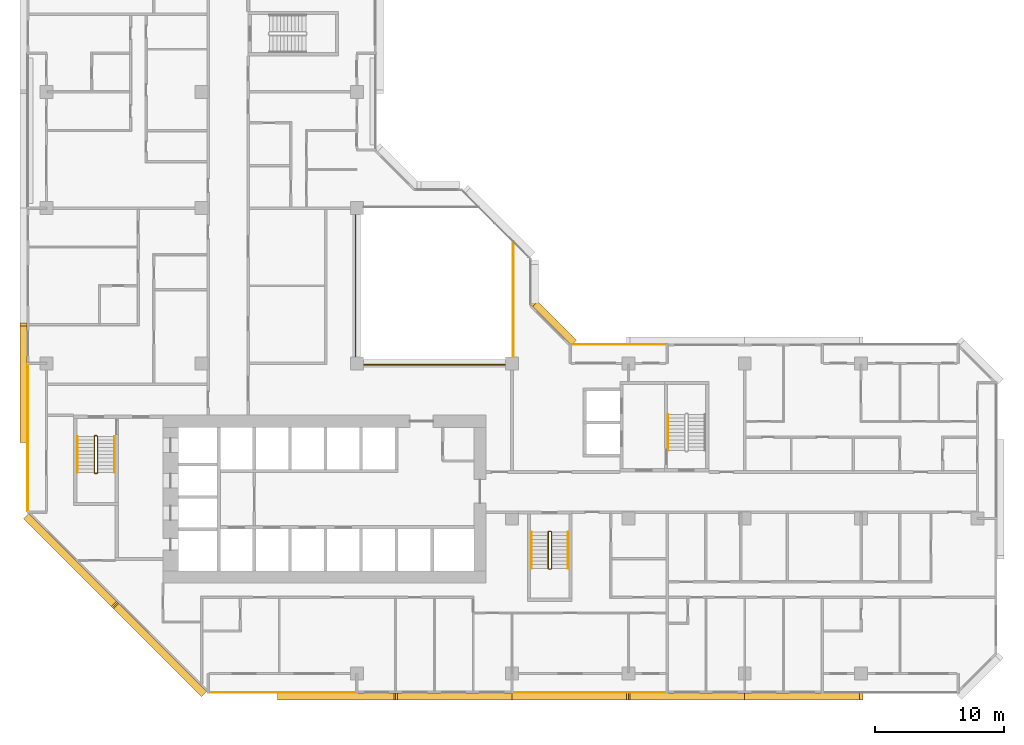
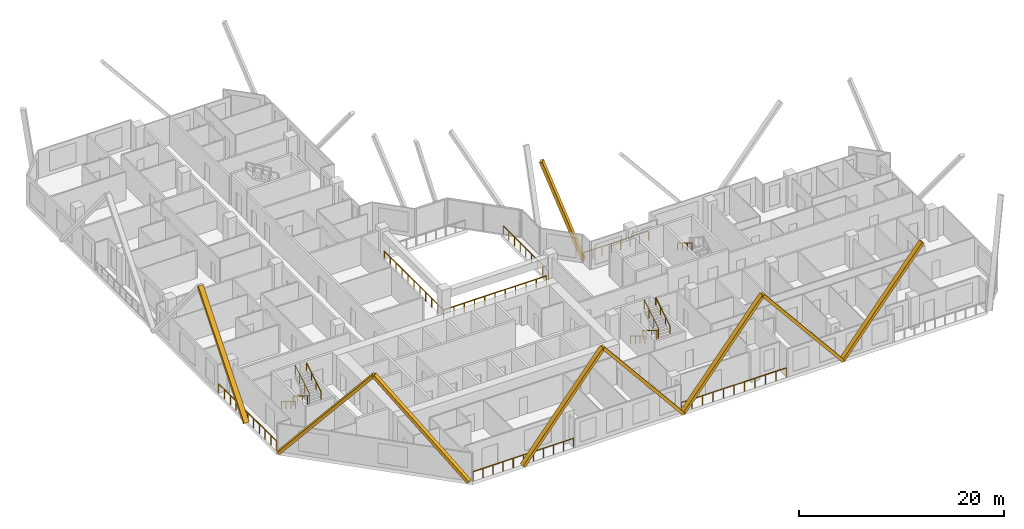
# One storey, part 14 of 15: 13 railings, 9 coverings.
"""IFC4 building model written with IfcOpenShell, lengths in metres."""

from ifc_helpers import new_model, si_unit, direction, frame, origin, origin_2d, place, context, subcontext, project, spatial, rectangle, extrude, material, material_profile, profile_set, type_object, element, save


model = new_model("IFC4")

# Units and contexts
model_context = context("Model", 3, precision=1e-05, world=origin(), true_north=direction((0.0, 1.0)))
body_context = subcontext(model_context, "Body", "Model", "MODEL_VIEW")
ifc_project = project(units=[si_unit("LENGTHUNIT", "METRE"), si_unit("AREAUNIT", "SQUARE_METRE"), si_unit("VOLUMEUNIT", "CUBIC_METRE"), si_unit("PLANEANGLEUNIT", "RADIAN"), si_unit("MASSUNIT", "GRAM", prefix="KILO")], contexts=[model_context])

# Site, building, storey
site_placement = place(None, origin())
site = spatial("IfcSite", under=ifc_project, at=site_placement, CompositionType="ELEMENT")
building_placement = place(site_placement, origin())
building = spatial("IfcBuilding", under=site, at=building_placement, Name="Chenar Terraces", CompositionType="ELEMENT")
storey_placement = place(building_placement, frame((0.0, 0.0, 129.39990234375)))
storey = spatial("IfcBuildingStorey", under=building, at=storey_placement, Name="L30", CompositionType="ELEMENT", Elevation=129.39990234375)

# Railings
ifc_material_1 = material(Name="Powder-coated steel", Category="steel")
railing_type_1 = type_object("IfcRailingType", Name="Guard 1100 steel rail with glass infill", PredefinedType="GUARDRAIL", material=ifc_material_1)
railing_1_placement = place(storey_placement, frame((23.89990234375, 35.5, 0.0)))
element("IfcRailing", 1, at=railing_1_placement, inside=storey, type_object=railing_type_1, Name="Guard L30-1", PredefinedType="GUARDRAIL", context=body_context, shape_type="SweptSolid", body=[
    extrude(rectangle(XDim=0.06005859375, YDim=0.06005859375, at=origin_2d()), frame((0.0, 0.0, 1.070068359375), z_axis=(0.0, -1.0, 0.0), x_axis=(1.0, 0.0, 0.0)), (0.0, 0.0, 1.0), 11.60009765625),
    extrude(rectangle(XDim=0.06005859375, YDim=0.06005859375, at=origin_2d()), frame((0.0, -11.60009765625, 1.070068359375), z_axis=(1.0, 0.0, 0.0), x_axis=(0.0, 1.0, 0.0)), (0.0, 0.0, 1.0), 11.60009765625),
    extrude(rectangle(XDim=0.050048828125, YDim=0.050048828125, at=origin_2d()), origin(), (0.0, 0.0, 1.0), 1.0400390625),
    extrude(rectangle(XDim=0.050048828125, YDim=0.050048828125, at=origin_2d()), frame((0.0, -1.159912109375, 0.0)), (0.0, 0.0, 1.0), 1.0400390625),
    extrude(rectangle(XDim=0.050048828125, YDim=0.050048828125, at=origin_2d()), frame((0.0, -2.320068359375, 0.0)), (0.0, 0.0, 1.0), 1.0400390625),
    extrude(rectangle(XDim=0.050048828125, YDim=0.050048828125, at=origin_2d()), frame((0.0, -3.47998046875, 0.0)), (0.0, 0.0, 1.0), 1.0400390625),
    extrude(rectangle(XDim=0.050048828125, YDim=0.050048828125, at=origin_2d()), frame((0.0, -4.64013671875, 0.0)), (0.0, 0.0, 1.0), 1.0400390625),
    extrude(rectangle(XDim=0.050048828125, YDim=0.050048828125, at=origin_2d()), frame((0.0, -5.800048828125, 0.0)), (0.0, 0.0, 1.0), 1.0400390625),
    extrude(rectangle(XDim=0.050048828125, YDim=0.050048828125, at=origin_2d()), frame((0.0, -6.9599609375, 0.0)), (0.0, 0.0, 1.0), 1.0400390625),
    extrude(rectangle(XDim=0.050048828125, YDim=0.050048828125, at=origin_2d()), frame((0.0, -8.1201171875, 0.0)), (0.0, 0.0, 1.0), 1.0400390625),
    extrude(rectangle(XDim=0.050048828125, YDim=0.050048828125, at=origin_2d()), frame((0.0, -9.280029296875, 0.0)), (0.0, 0.0, 1.0), 1.0400390625),
    extrude(rectangle(XDim=0.050048828125, YDim=0.050048828125, at=origin_2d()), frame((0.0, -10.440185546875, 0.0)), (0.0, 0.0, 1.0), 1.0400390625),
    extrude(rectangle(XDim=0.050048828125, YDim=0.050048828125, at=origin_2d()), frame((0.0, -11.60009765625, 0.0)), (0.0, 0.0, 1.0), 1.0400390625),
    extrude(rectangle(XDim=0.050048828125, YDim=0.050048828125, at=origin_2d()), frame((1.159912109375, -11.60009765625, 0.0)), (0.0, 0.0, 1.0), 1.0400390625),
    extrude(rectangle(XDim=0.050048828125, YDim=0.050048828125, at=origin_2d()), frame((2.320068359375, -11.60009765625, 0.0)), (0.0, 0.0, 1.0), 1.0400390625),
    extrude(rectangle(XDim=0.050048828125, YDim=0.050048828125, at=origin_2d()), frame((3.47998046875, -11.60009765625, 0.0)), (0.0, 0.0, 1.0), 1.0400390625),
    extrude(rectangle(XDim=0.050048828125, YDim=0.050048828125, at=origin_2d()), frame((4.64013671875, -11.60009765625, 0.0)), (0.0, 0.0, 1.0), 1.0400390625),
    extrude(rectangle(XDim=0.050048828125, YDim=0.050048828125, at=origin_2d()), frame((5.800048828125, -11.60009765625, 0.0)), (0.0, 0.0, 1.0), 1.0400390625),
    extrude(rectangle(XDim=0.050048828125, YDim=0.050048828125, at=origin_2d()), frame((6.9599609375, -11.60009765625, 0.0)), (0.0, 0.0, 1.0), 1.0400390625),
    extrude(rectangle(XDim=0.050048828125, YDim=0.050048828125, at=origin_2d()), frame((8.1201171875, -11.60009765625, 0.0)), (0.0, 0.0, 1.0), 1.0400390625),
    extrude(rectangle(XDim=0.050048828125, YDim=0.050048828125, at=origin_2d()), frame((9.280029296875, -11.60009765625, 0.0)), (0.0, 0.0, 1.0), 1.0400390625),
    extrude(rectangle(XDim=0.050048828125, YDim=0.050048828125, at=origin_2d()), frame((10.440185546875, -11.60009765625, 0.0)), (0.0, 0.0, 1.0), 1.0400390625),
    extrude(rectangle(XDim=0.050048828125, YDim=0.050048828125, at=origin_2d()), frame((11.60009765625, -11.60009765625, 0.0)), (0.0, 0.0, 1.0), 1.0400390625),
])
railing_2_placement = place(storey_placement, frame((36.10009765625, 24.550048828125, 0.0)))
element("IfcRailing", 2, at=railing_2_placement, inside=storey, type_object=railing_type_1, Name="Guard L30-3", PredefinedType="GUARDRAIL", context=body_context, shape_type="SweptSolid", body=[
    extrude(rectangle(XDim=0.06005859375, YDim=0.06005859375, at=origin_2d()), frame((0.0, 0.0, 1.070068359375), z_axis=(0.0, 1.0, 0.0), x_axis=(-1.0, 0.0, 0.0)), (0.0, 0.0, 1.0), 8.849853515625),
    extrude(rectangle(XDim=0.050048828125, YDim=0.050048828125, at=origin_2d()), origin(), (0.0, 0.0, 1.0), 1.0400390625),
    extrude(rectangle(XDim=0.050048828125, YDim=0.050048828125, at=origin_2d()), frame((0.0, 1.106201171875, 0.0)), (0.0, 0.0, 1.0), 1.0400390625),
    extrude(rectangle(XDim=0.050048828125, YDim=0.050048828125, at=origin_2d()), frame((0.0, 2.21240234375, 0.0)), (0.0, 0.0, 1.0), 1.0400390625),
    extrude(rectangle(XDim=0.050048828125, YDim=0.050048828125, at=origin_2d()), frame((0.0, 3.318603515625, 0.0)), (0.0, 0.0, 1.0), 1.0400390625),
    extrude(rectangle(XDim=0.050048828125, YDim=0.050048828125, at=origin_2d()), frame((0.0, 4.4248046875, 0.0)), (0.0, 0.0, 1.0), 1.0400390625),
    extrude(rectangle(XDim=0.050048828125, YDim=0.050048828125, at=origin_2d()), frame((0.0, 5.53125, 0.0)), (0.0, 0.0, 1.0), 1.0400390625),
    extrude(rectangle(XDim=0.050048828125, YDim=0.050048828125, at=origin_2d()), frame((0.0, 6.637451171875, 0.0)), (0.0, 0.0, 1.0), 1.0400390625),
    extrude(rectangle(XDim=0.050048828125, YDim=0.050048828125, at=origin_2d()), frame((0.0, 7.74365234375, 0.0)), (0.0, 0.0, 1.0), 1.0400390625),
    extrude(rectangle(XDim=0.050048828125, YDim=0.050048828125, at=origin_2d()), frame((0.0, 8.849853515625, 0.0)), (0.0, 0.0, 1.0), 1.0400390625),
])
ifc_material_2 = material(Name="Stainless steel and glass", Category="steel")
railing_type_2 = type_object("IfcRailingType", Name="Loggia guard 1150", PredefinedType="GUARDRAIL", material=ifc_material_2)
railing_3_placement = place(storey_placement, frame((47.925048828125, 25.449951171875, 0.0)))
element("IfcRailing", 3, at=railing_3_placement, inside=storey, type_object=railing_type_2, Name="Loggia guard", PredefinedType="GUARDRAIL", context=body_context, shape_type="SweptSolid", body=[
    extrude(rectangle(XDim=0.048095703125, YDim=0.048095703125, at=origin_2d()), frame((0.0, 0.0, 1.1259765625), z_axis=(-1.0, 0.0, 0.0), x_axis=(0.0, -1.0, 0.0)), (0.0, 0.0, 1.0), 7.35009765625),
    extrude(rectangle(XDim=0.0419921875, YDim=0.0419921875, at=origin_2d()), origin(), (0.0, 0.0, 1.0), 1.101806640625),
    extrude(rectangle(XDim=0.0419921875, YDim=0.0419921875, at=origin_2d()), frame((-1.050048828125, 0.0, 0.0)), (0.0, 0.0, 1.0), 1.101806640625),
    extrude(rectangle(XDim=0.0419921875, YDim=0.0419921875, at=origin_2d()), frame((-2.10009765625, 0.0, 0.0)), (0.0, 0.0, 1.0), 1.101806640625),
    extrude(rectangle(XDim=0.0419921875, YDim=0.0419921875, at=origin_2d()), frame((-3.150146484375, 0.0, 0.0)), (0.0, 0.0, 1.0), 1.101806640625),
    extrude(rectangle(XDim=0.0419921875, YDim=0.0419921875, at=origin_2d()), frame((-4.199951171875, 0.0, 0.0)), (0.0, 0.0, 1.0), 1.101806640625),
    extrude(rectangle(XDim=0.0419921875, YDim=0.0419921875, at=origin_2d()), frame((-5.25, 0.0, 0.0)), (0.0, 0.0, 1.0), 1.101806640625),
    extrude(rectangle(XDim=0.0419921875, YDim=0.0419921875, at=origin_2d()), frame((-6.300048828125, 0.0, 0.0)), (0.0, 0.0, 1.0), 1.101806640625),
    extrude(rectangle(XDim=0.0419921875, YDim=0.0419921875, at=origin_2d()), frame((-7.35009765625, 0.0, 0.0)), (0.0, 0.0, 1.0), 1.101806640625),
])
railing_4_placement = place(storey_placement, frame((12.574951171875, -1.449951171875, 0.0)))
element("IfcRailing", 4, at=railing_4_placement, inside=storey, type_object=railing_type_2, Name="Loggia guard", PredefinedType="GUARDRAIL", context=body_context, shape_type="SweptSolid", body=[
    extrude(rectangle(XDim=0.048095703125, YDim=0.048095703125, at=origin_2d()), frame((0.0, 0.0, 1.1259765625), z_axis=(1.0, 0.0, 0.0), x_axis=(0.0, 1.0, 0.0)), (0.0, 0.0, 1.0), 11.35009765625),
    extrude(rectangle(XDim=0.0419921875, YDim=0.0419921875, at=origin_2d()), origin(), (0.0, 0.0, 1.0), 1.101806640625),
    extrude(rectangle(XDim=0.0419921875, YDim=0.0419921875, at=origin_2d()), frame((1.135009765625, 0.0, 0.0)), (0.0, 0.0, 1.0), 1.101806640625),
    extrude(rectangle(XDim=0.0419921875, YDim=0.0419921875, at=origin_2d()), frame((2.27001953125, 0.0, 0.0)), (0.0, 0.0, 1.0), 1.101806640625),
    extrude(rectangle(XDim=0.0419921875, YDim=0.0419921875, at=origin_2d()), frame((3.405029296875, 0.0, 0.0)), (0.0, 0.0, 1.0), 1.101806640625),
    extrude(rectangle(XDim=0.0419921875, YDim=0.0419921875, at=origin_2d()), frame((4.5400390625, 0.0, 0.0)), (0.0, 0.0, 1.0), 1.101806640625),
    extrude(rectangle(XDim=0.0419921875, YDim=0.0419921875, at=origin_2d()), frame((5.675048828125, 0.0, 0.0)), (0.0, 0.0, 1.0), 1.101806640625),
    extrude(rectangle(XDim=0.0419921875, YDim=0.0419921875, at=origin_2d()), frame((6.81005859375, 0.0, 0.0)), (0.0, 0.0, 1.0), 1.101806640625),
    extrude(rectangle(XDim=0.0419921875, YDim=0.0419921875, at=origin_2d()), frame((7.945068359375, 0.0, 0.0)), (0.0, 0.0, 1.0), 1.101806640625),
    extrude(rectangle(XDim=0.0419921875, YDim=0.0419921875, at=origin_2d()), frame((9.080078125, 0.0, 0.0)), (0.0, 0.0, 1.0), 1.101806640625),
    extrude(rectangle(XDim=0.0419921875, YDim=0.0419921875, at=origin_2d()), frame((10.215087890625, 0.0, 0.0)), (0.0, 0.0, 1.0), 1.101806640625),
    extrude(rectangle(XDim=0.0419921875, YDim=0.0419921875, at=origin_2d()), frame((11.35009765625, 0.0, 0.0)), (0.0, 0.0, 1.0), 1.101806640625),
])
railing_5_placement = place(storey_placement, frame((36.074951171875, -1.449951171875, 0.0)))
element("IfcRailing", 5, at=railing_5_placement, inside=storey, type_object=railing_type_2, Name="Loggia guard", PredefinedType="GUARDRAIL", context=body_context, shape_type="SweptSolid", body=[
    extrude(rectangle(XDim=0.048095703125, YDim=0.048095703125, at=origin_2d()), frame((0.0, 0.0, 1.1259765625), z_axis=(1.0, 0.0, 0.0), x_axis=(0.0, 1.0, 0.0)), (0.0, 0.0, 1.0), 11.85009765625),
    extrude(rectangle(XDim=0.0419921875, YDim=0.0419921875, at=origin_2d()), origin(), (0.0, 0.0, 1.0), 1.101806640625),
    extrude(rectangle(XDim=0.0419921875, YDim=0.0419921875, at=origin_2d()), frame((1.18505859375, 0.0, 0.0)), (0.0, 0.0, 1.0), 1.101806640625),
    extrude(rectangle(XDim=0.0419921875, YDim=0.0419921875, at=origin_2d()), frame((2.3701171875, 0.0, 0.0)), (0.0, 0.0, 1.0), 1.101806640625),
    extrude(rectangle(XDim=0.0419921875, YDim=0.0419921875, at=origin_2d()), frame((3.554931640625, 0.0, 0.0)), (0.0, 0.0, 1.0), 1.101806640625),
    extrude(rectangle(XDim=0.0419921875, YDim=0.0419921875, at=origin_2d()), frame((4.739990234375, 0.0, 0.0)), (0.0, 0.0, 1.0), 1.101806640625),
    extrude(rectangle(XDim=0.0419921875, YDim=0.0419921875, at=origin_2d()), frame((5.925048828125, 0.0, 0.0)), (0.0, 0.0, 1.0), 1.101806640625),
    extrude(rectangle(XDim=0.0419921875, YDim=0.0419921875, at=origin_2d()), frame((7.110107421875, 0.0, 0.0)), (0.0, 0.0, 1.0), 1.101806640625),
    extrude(rectangle(XDim=0.0419921875, YDim=0.0419921875, at=origin_2d()), frame((8.295166015625, 0.0, 0.0)), (0.0, 0.0, 1.0), 1.101806640625),
    extrude(rectangle(XDim=0.0419921875, YDim=0.0419921875, at=origin_2d()), frame((9.47998046875, 0.0, 0.0)), (0.0, 0.0, 1.0), 1.101806640625),
    extrude(rectangle(XDim=0.0419921875, YDim=0.0419921875, at=origin_2d()), frame((10.6650390625, 0.0, 0.0)), (0.0, 0.0, 1.0), 1.101806640625),
    extrude(rectangle(XDim=0.0419921875, YDim=0.0419921875, at=origin_2d()), frame((11.85009765625, 0.0, 0.0)), (0.0, 0.0, 1.0), 1.101806640625),
])
railing_6_placement = place(storey_placement, frame((-1.449951171875, 23.925048828125, 0.0)))
element("IfcRailing", 6, at=railing_6_placement, inside=storey, type_object=railing_type_2, Name="Loggia guard", PredefinedType="GUARDRAIL", context=body_context, shape_type="SweptSolid", body=[
    extrude(rectangle(XDim=0.048095703125, YDim=0.048095703125, at=origin_2d()), frame((0.0, 0.0, 1.1259765625), z_axis=(0.0, -1.0, 0.0), x_axis=(1.0, 0.0, 0.0)), (0.0, 0.0, 1.0), 11.35009765625),
    extrude(rectangle(XDim=0.0419921875, YDim=0.0419921875, at=origin_2d()), origin(), (0.0, 0.0, 1.0), 1.101806640625),
    extrude(rectangle(XDim=0.0419921875, YDim=0.0419921875, at=origin_2d()), frame((0.0, -1.135009765625, 0.0)), (0.0, 0.0, 1.0), 1.101806640625),
    extrude(rectangle(XDim=0.0419921875, YDim=0.0419921875, at=origin_2d()), frame((0.0, -2.27001953125, 0.0)), (0.0, 0.0, 1.0), 1.101806640625),
    extrude(rectangle(XDim=0.0419921875, YDim=0.0419921875, at=origin_2d()), frame((0.0, -3.405029296875, 0.0)), (0.0, 0.0, 1.0), 1.101806640625),
    extrude(rectangle(XDim=0.0419921875, YDim=0.0419921875, at=origin_2d()), frame((0.0, -4.5400390625, 0.0)), (0.0, 0.0, 1.0), 1.101806640625),
    extrude(rectangle(XDim=0.0419921875, YDim=0.0419921875, at=origin_2d()), frame((0.0, -5.675048828125, 0.0)), (0.0, 0.0, 1.0), 1.101806640625),
    extrude(rectangle(XDim=0.0419921875, YDim=0.0419921875, at=origin_2d()), frame((0.0, -6.81005859375, 0.0)), (0.0, 0.0, 1.0), 1.101806640625),
    extrude(rectangle(XDim=0.0419921875, YDim=0.0419921875, at=origin_2d()), frame((0.0, -7.945068359375, 0.0)), (0.0, 0.0, 1.0), 1.101806640625),
    extrude(rectangle(XDim=0.0419921875, YDim=0.0419921875, at=origin_2d()), frame((0.0, -9.080078125, 0.0)), (0.0, 0.0, 1.0), 1.101806640625),
    extrude(rectangle(XDim=0.0419921875, YDim=0.0419921875, at=origin_2d()), frame((0.0, -10.215087890625, 0.0)), (0.0, 0.0, 1.0), 1.101806640625),
    extrude(rectangle(XDim=0.0419921875, YDim=0.0419921875, at=origin_2d()), frame((0.0, -11.35009765625, 0.0)), (0.0, 0.0, 1.0), 1.101806640625),
])
ifc_material_3 = material(Name="Powder-coated steel", Category="steel")
railing_type_3 = type_object("IfcRailingType", Name="Stair guard 1100", PredefinedType="GUARDRAIL", material=ifc_material_3)
railing_7_placement = place(storey_placement, frame((3.949951171875, 18.35009765625, 3.75)))
element("IfcRailing", 7, at=railing_7_placement, inside=storey, type_object=railing_type_3, Name="L30 ST1 stair guard 1", PredefinedType="GUARDRAIL", context=body_context, shape_type="SweptSolid", body=[
    extrude(rectangle(XDim=0.048095703125, YDim=0.048095703125, at=origin_2d()), frame((0.0, 0.0, 1.076171875), z_axis=(0.0, -0.854202870247, -0.519939858505), x_axis=(1.0, 0.0, 0.0)), (0.0, 0.0, 1.0), 3.278076171875),
    extrude(rectangle(XDim=0.048095703125, YDim=0.048095703125, at=origin_2d()), frame((0.0, -2.800048828125, -0.62841796875), z_axis=(-0.270899902878, -0.270899902878, -0.923702595667), x_axis=(0.707106781187, -0.707106781187, 0.0)), (0.0, 0.0, 1.0), 0.184814453125),
    extrude(rectangle(XDim=0.048095703125, YDim=0.048095703125, at=origin_2d()), frame((-0.050048828125, -2.85009765625, -0.798828125), z_axis=(-1.0, 0.0, 0.0), x_axis=(0.0, -1.0, 0.0)), (0.0, 0.0, 1.0), 0.14990234375),
    extrude(rectangle(XDim=0.048095703125, YDim=0.048095703125, at=origin_2d()), frame((-0.199951171875, -2.85009765625, -0.798828125), z_axis=(-0.707106781187, 0.707106781187, 0.0), x_axis=(-0.707106781187, -0.707106781187, 0.0)), (0.0, 0.0, 1.0), 0.07080078125),
    extrude(rectangle(XDim=0.048095703125, YDim=0.048095703125, at=origin_2d()), frame((-0.25, -2.800048828125, -0.798828125), z_axis=(0.0, 0.854202870247, -0.519939858505), x_axis=(-1.0, 0.0, 0.0)), (0.0, 0.0, 1.0), 3.278076171875),
    extrude(rectangle(XDim=0.048095703125, YDim=0.048095703125, at=origin_2d()), frame((-0.25, 0.0, -2.50341796875), z_axis=(0.270996696079, 0.269674760976, -0.924032636873), x_axis=(-0.705375805398, 0.708833529934, 0.0)), (0.0, 0.0, 1.0), 0.1845703125),
    extrude(rectangle(XDim=0.048095703125, YDim=0.048095703125, at=origin_2d()), frame((-0.199951171875, 0.0498046875, -2.673828125), z_axis=(1.0, 0.0, 0.0), x_axis=(0.0, 1.0, 0.0)), (0.0, 0.0, 1.0), 0.14990234375),
    extrude(rectangle(XDim=0.0419921875, YDim=0.0419921875, at=origin_2d()), origin(), (0.0, 0.0, 1.0), 1.052001953125),
    extrude(rectangle(XDim=0.0419921875, YDim=0.0419921875, at=origin_2d()), frame((0.0, -0.933349609375, -0.568115234375)), (0.0, 0.0, 1.0), 1.052001953125),
    extrude(rectangle(XDim=0.0419921875, YDim=0.0419921875, at=origin_2d()), frame((0.0, -1.86669921875, -1.13623046875)), (0.0, 0.0, 1.0), 1.052001953125),
    extrude(rectangle(XDim=0.0419921875, YDim=0.0419921875, at=origin_2d()), frame((0.0, -2.800048828125, -1.704345703125)), (0.0, 0.0, 1.0), 1.052001953125),
    extrude(rectangle(XDim=0.0419921875, YDim=0.0419921875, at=origin_2d()), frame((-0.050048828125, -2.85009765625, -1.875)), (0.0, 0.0, 1.0), 1.052001953125),
    extrude(rectangle(XDim=0.0419921875, YDim=0.0419921875, at=origin_2d()), frame((-0.199951171875, -2.85009765625, -1.875)), (0.0, 0.0, 1.0), 1.052001953125),
    extrude(rectangle(XDim=0.0419921875, YDim=0.0419921875, at=origin_2d()), frame((-0.25, -2.800048828125, -1.875)), (0.0, 0.0, 1.0), 1.052001953125),
    extrude(rectangle(XDim=0.0419921875, YDim=0.0419921875, at=origin_2d()), frame((-0.25, -1.86669921875, -2.443115234375)), (0.0, 0.0, 1.0), 1.052001953125),
    extrude(rectangle(XDim=0.0419921875, YDim=0.0419921875, at=origin_2d()), frame((-0.25, -0.933349609375, -3.01123046875)), (0.0, 0.0, 1.0), 1.052001953125),
    extrude(rectangle(XDim=0.0419921875, YDim=0.0419921875, at=origin_2d()), frame((-0.25, 0.0, -3.579345703125)), (0.0, 0.0, 1.0), 1.052001953125),
    extrude(rectangle(XDim=0.0419921875, YDim=0.0419921875, at=origin_2d()), frame((-0.199951171875, 0.0498046875, -3.75)), (0.0, 0.0, 1.0), 1.052001953125),
    extrude(rectangle(XDim=0.0419921875, YDim=0.0419921875, at=origin_2d()), frame((-0.050048828125, 0.0498046875, -3.75)), (0.0, 0.0, 1.0), 1.052001953125),
])
railing_8_placement = place(storey_placement, frame((39.050048828125, 10.949951171875, 3.75)))
element("IfcRailing", 8, at=railing_8_placement, inside=storey, type_object=railing_type_3, Name="L30 ST2 stair guard 1", PredefinedType="GUARDRAIL", context=body_context, shape_type="SweptSolid", body=[
    extrude(rectangle(XDim=0.048095703125, YDim=0.048095703125, at=origin_2d()), frame((0.0, 0.0, 1.076171875), z_axis=(0.0, -0.854202870247, -0.519939858505), x_axis=(1.0, 0.0, 0.0)), (0.0, 0.0, 1.0), 3.278076171875),
    extrude(rectangle(XDim=0.048095703125, YDim=0.048095703125, at=origin_2d()), frame((0.0, -2.800048828125, -0.62841796875), z_axis=(-0.270996696079, -0.269674760976, -0.924032636873), x_axis=(0.705375805398, -0.708833529934, 0.0)), (0.0, 0.0, 1.0), 0.1845703125),
    extrude(rectangle(XDim=0.048095703125, YDim=0.048095703125, at=origin_2d()), frame((-0.050048828125, -2.849853515625, -0.798828125), z_axis=(-1.0, 0.0, 0.0), x_axis=(0.0, -1.0, 0.0)), (0.0, 0.0, 1.0), 0.14990234375),
    extrude(rectangle(XDim=0.048095703125, YDim=0.048095703125, at=origin_2d()), frame((-0.199951171875, -2.849853515625, -0.798828125), z_axis=(-0.708833529934, 0.705375805398, 0.0), x_axis=(-0.705375805398, -0.708833529934, 0.0)), (0.0, 0.0, 1.0), 0.070556640625),
    extrude(rectangle(XDim=0.048095703125, YDim=0.048095703125, at=origin_2d()), frame((-0.25, -2.800048828125, -0.798828125), z_axis=(0.0, 0.854202870247, -0.519939858505), x_axis=(-1.0, 0.0, 0.0)), (0.0, 0.0, 1.0), 3.278076171875),
    extrude(rectangle(XDim=0.048095703125, YDim=0.048095703125, at=origin_2d()), frame((-0.25, 0.0, -2.50341796875), z_axis=(0.270899902878, 0.270899902878, -0.923702595667), x_axis=(-0.707106781187, 0.707106781187, 0.0)), (0.0, 0.0, 1.0), 0.184814453125),
    extrude(rectangle(XDim=0.048095703125, YDim=0.048095703125, at=origin_2d()), frame((-0.199951171875, 0.050048828125, -2.673828125), z_axis=(1.0, 0.0, 0.0), x_axis=(0.0, 1.0, 0.0)), (0.0, 0.0, 1.0), 0.14990234375),
    extrude(rectangle(XDim=0.0419921875, YDim=0.0419921875, at=origin_2d()), origin(), (0.0, 0.0, 1.0), 1.052001953125),
    extrude(rectangle(XDim=0.0419921875, YDim=0.0419921875, at=origin_2d()), frame((0.0, -0.933349609375, -0.568115234375)), (0.0, 0.0, 1.0), 1.052001953125),
    extrude(rectangle(XDim=0.0419921875, YDim=0.0419921875, at=origin_2d()), frame((0.0, -1.86669921875, -1.13623046875)), (0.0, 0.0, 1.0), 1.052001953125),
    extrude(rectangle(XDim=0.0419921875, YDim=0.0419921875, at=origin_2d()), frame((0.0, -2.800048828125, -1.704345703125)), (0.0, 0.0, 1.0), 1.052001953125),
    extrude(rectangle(XDim=0.0419921875, YDim=0.0419921875, at=origin_2d()), frame((-0.050048828125, -2.849853515625, -1.875)), (0.0, 0.0, 1.0), 1.052001953125),
    extrude(rectangle(XDim=0.0419921875, YDim=0.0419921875, at=origin_2d()), frame((-0.199951171875, -2.849853515625, -1.875)), (0.0, 0.0, 1.0), 1.052001953125),
    extrude(rectangle(XDim=0.0419921875, YDim=0.0419921875, at=origin_2d()), frame((-0.25, -2.800048828125, -1.875)), (0.0, 0.0, 1.0), 1.052001953125),
    extrude(rectangle(XDim=0.0419921875, YDim=0.0419921875, at=origin_2d()), frame((-0.25, -1.86669921875, -2.443115234375)), (0.0, 0.0, 1.0), 1.052001953125),
    extrude(rectangle(XDim=0.0419921875, YDim=0.0419921875, at=origin_2d()), frame((-0.25, -0.933349609375, -3.01123046875)), (0.0, 0.0, 1.0), 1.052001953125),
    extrude(rectangle(XDim=0.0419921875, YDim=0.0419921875, at=origin_2d()), frame((-0.25, 0.0, -3.579345703125)), (0.0, 0.0, 1.0), 1.052001953125),
    extrude(rectangle(XDim=0.0419921875, YDim=0.0419921875, at=origin_2d()), frame((-0.199951171875, 0.050048828125, -3.75)), (0.0, 0.0, 1.0), 1.052001953125),
    extrude(rectangle(XDim=0.0419921875, YDim=0.0419921875, at=origin_2d()), frame((-0.050048828125, 0.050048828125, -3.75)), (0.0, 0.0, 1.0), 1.052001953125),
])
ifc_material_4 = material(Name="Powder-coated steel", Category="steel")
railing_type_4 = type_object("IfcRailingType", Name="Stair handrail 900", PredefinedType="HANDRAIL", material=ifc_material_4)
railing_9_placement = place(storey_placement, frame((2.39990234375, 18.35009765625, 0.170654296875)))
element("IfcRailing", 9, at=railing_9_placement, inside=storey, type_object=railing_type_4, Name="L30 ST1 stair handrail 1", PredefinedType="HANDRAIL", context=body_context, shape_type="SweptSolid", body=[
    extrude(rectangle(XDim=0.048095703125, YDim=0.048095703125, at=origin_2d()), frame((0.0, 0.0, 0.8759765625), z_axis=(0.0, -0.854202870247, 0.519939858505), x_axis=(1.0, 0.0, 0.0)), (0.0, 0.0, 1.0), 3.278076171875),
    extrude(rectangle(XDim=0.0419921875, YDim=0.0419921875, at=origin_2d()), origin(), (0.0, 0.0, 1.0), 0.851806640625),
    extrude(rectangle(XDim=0.0419921875, YDim=0.0419921875, at=origin_2d()), frame((0.0, -0.933349609375, 0.568115234375)), (0.0, 0.0, 1.0), 0.851806640625),
    extrude(rectangle(XDim=0.0419921875, YDim=0.0419921875, at=origin_2d()), frame((0.0, -1.86669921875, 1.13623046875)), (0.0, 0.0, 1.0), 0.851806640625),
    extrude(rectangle(XDim=0.0419921875, YDim=0.0419921875, at=origin_2d()), frame((0.0, -2.800048828125, 1.704345703125)), (0.0, 0.0, 1.0), 0.851806640625),
])
railing_10_placement = place(storey_placement, frame((5.25, 15.550048828125, 2.045654296875)))
element("IfcRailing", 10, at=railing_10_placement, inside=storey, type_object=railing_type_4, Name="L30 ST1 stair handrail 2", PredefinedType="HANDRAIL", context=body_context, shape_type="SweptSolid", body=[
    extrude(rectangle(XDim=0.048095703125, YDim=0.048095703125, at=origin_2d()), frame((0.0, 0.0, 0.8759765625), z_axis=(0.0, 0.854202870247, 0.519939858505), x_axis=(-1.0, 0.0, 0.0)), (0.0, 0.0, 1.0), 3.278076171875),
    extrude(rectangle(XDim=0.0419921875, YDim=0.0419921875, at=origin_2d()), origin(), (0.0, 0.0, 1.0), 0.851806640625),
    extrude(rectangle(XDim=0.0419921875, YDim=0.0419921875, at=origin_2d()), frame((0.0, 0.933349609375, 0.568115234375)), (0.0, 0.0, 1.0), 0.851806640625),
    extrude(rectangle(XDim=0.0419921875, YDim=0.0419921875, at=origin_2d()), frame((0.0, 1.86669921875, 1.13623046875)), (0.0, 0.0, 1.0), 0.851806640625),
    extrude(rectangle(XDim=0.0419921875, YDim=0.0419921875, at=origin_2d()), frame((0.0, 2.800048828125, 1.704345703125)), (0.0, 0.0, 1.0), 0.851806640625),
])
railing_11_placement = place(storey_placement, frame((37.5, 10.949951171875, 0.170654296875)))
element("IfcRailing", 11, at=railing_11_placement, inside=storey, type_object=railing_type_4, Name="L30 ST2 stair handrail 1", PredefinedType="HANDRAIL", context=body_context, shape_type="SweptSolid", body=[
    extrude(rectangle(XDim=0.048095703125, YDim=0.048095703125, at=origin_2d()), frame((0.0, 0.0, 0.8759765625), z_axis=(0.0, -0.854202870247, 0.519939858505), x_axis=(1.0, 0.0, 0.0)), (0.0, 0.0, 1.0), 3.278076171875),
    extrude(rectangle(XDim=0.0419921875, YDim=0.0419921875, at=origin_2d()), origin(), (0.0, 0.0, 1.0), 0.851806640625),
    extrude(rectangle(XDim=0.0419921875, YDim=0.0419921875, at=origin_2d()), frame((0.0, -0.933349609375, 0.568115234375)), (0.0, 0.0, 1.0), 0.851806640625),
    extrude(rectangle(XDim=0.0419921875, YDim=0.0419921875, at=origin_2d()), frame((0.0, -1.86669921875, 1.13623046875)), (0.0, 0.0, 1.0), 0.851806640625),
    extrude(rectangle(XDim=0.0419921875, YDim=0.0419921875, at=origin_2d()), frame((0.0, -2.800048828125, 1.704345703125)), (0.0, 0.0, 1.0), 0.851806640625),
])
railing_12_placement = place(storey_placement, frame((40.35009765625, 8.14990234375, 2.045654296875)))
element("IfcRailing", 12, at=railing_12_placement, inside=storey, type_object=railing_type_4, Name="L30 ST2 stair handrail 2", PredefinedType="HANDRAIL", context=body_context, shape_type="SweptSolid", body=[
    extrude(rectangle(XDim=0.048095703125, YDim=0.048095703125, at=origin_2d()), frame((0.0, 0.0, 0.8759765625), z_axis=(0.0, 0.854202870247, 0.519939858505), x_axis=(-1.0, 0.0, 0.0)), (0.0, 0.0, 1.0), 3.278076171875),
    extrude(rectangle(XDim=0.0419921875, YDim=0.0419921875, at=origin_2d()), origin(), (0.0, 0.0, 1.0), 0.851806640625),
    extrude(rectangle(XDim=0.0419921875, YDim=0.0419921875, at=origin_2d()), frame((0.0, 0.933349609375, 0.568115234375)), (0.0, 0.0, 1.0), 0.851806640625),
    extrude(rectangle(XDim=0.0419921875, YDim=0.0419921875, at=origin_2d()), frame((0.0, 1.86669921875, 1.13623046875)), (0.0, 0.0, 1.0), 0.851806640625),
    extrude(rectangle(XDim=0.0419921875, YDim=0.0419921875, at=origin_2d()), frame((0.0, 2.800048828125, 1.704345703125)), (0.0, 0.0, 1.0), 0.851806640625),
])
railing_13_placement = place(storey_placement, frame((48.074951171875, 20.050048828125, 2.045654296875)))
element("IfcRailing", 13, at=railing_13_placement, inside=storey, type_object=railing_type_4, Name="L30 ST3 stair handrail 2", PredefinedType="HANDRAIL", context=body_context, shape_type="SweptSolid", body=[
    extrude(rectangle(XDim=0.048095703125, YDim=0.048095703125, at=origin_2d()), frame((0.0, 0.0, 0.8759765625), z_axis=(0.0, -0.854202870247, 0.519939858505), x_axis=(1.0, 0.0, 0.0)), (0.0, 0.0, 1.0), 3.278076171875),
    extrude(rectangle(XDim=0.0419921875, YDim=0.0419921875, at=origin_2d()), origin(), (0.0, 0.0, 1.0), 0.851806640625),
    extrude(rectangle(XDim=0.0419921875, YDim=0.0419921875, at=origin_2d()), frame((0.0, -0.933349609375, 0.568115234375)), (0.0, 0.0, 1.0), 0.851806640625),
    extrude(rectangle(XDim=0.0419921875, YDim=0.0419921875, at=origin_2d()), frame((0.0, -1.86669921875, 1.13623046875)), (0.0, 0.0, 1.0), 0.851806640625),
    extrude(rectangle(XDim=0.0419921875, YDim=0.0419921875, at=origin_2d()), frame((0.0, -2.800048828125, 1.704345703125)), (0.0, 0.0, 1.0), 0.851806640625),
])

# Coverings
ifc_material_5 = material(Name="Terracotta", Category="masonry")
ifc_material_profile = material_profile(ifc_material_5, rectangle(XDim=0.550048828125, YDim=0.330078125, at=origin_2d()), Name="Terracotta baguette 550 x 330")
ifc_profile_set = profile_set([ifc_material_profile], Name="Terracotta")
covering_type = type_object("IfcCoveringType", Name="Terracotta baguette 550 x 330", PredefinedType="CLADDING", material=ifc_profile_set)
covering_1_placement = place(storey_placement, frame((40.6943359375, 25.6943359375, 0.150146484375), z_axis=(-0.255448778865, 0.255469569031, 0.932459768931), x_axis=(-0.70713555402, -0.707078007182, 0.0)))
element("IfcCovering", 14, at=covering_1_placement, inside=storey, type_object=covering_type, Name="Terracotta baguette", PredefinedType="CLADDING", context=body_context, shape_type="SweptSolid", body=[
    extrude(rectangle(XDim=0.550048828125, YDim=0.330078125, at=origin_2d()), origin(), (0.0, 0.0, 1.0), 11.7431640625),
])
covering_2_placement = place(storey_placement, frame((-1.77490234375, 27.0, 11.10009765625), z_axis=(0.0, -0.634966765532, -0.772539453148), x_axis=(1.0, 0.0, 0.0)))
element("IfcCovering", 15, at=covering_2_placement, inside=storey, type_object=covering_type, Name="Terracotta baguette", PredefinedType="CLADDING", context=body_context, shape_type="SweptSolid", body=[
    extrude(rectangle(XDim=0.550048828125, YDim=0.330078125, at=origin_2d()), origin(), (0.0, 0.0, 1.0), 14.174072265625),
])
covering_3_placement = place(storey_placement, frame((-1.482421875, 12.093505859375, 0.150146484375), z_axis=(0.466144278071, -0.466144278071, 0.751943497906), x_axis=(0.707106781187, 0.707106781187, 0.0)))
element("IfcCovering", 16, at=covering_3_placement, inside=storey, type_object=covering_type, Name="Terracotta baguette", PredefinedType="CLADDING", context=body_context, shape_type="SweptSolid", body=[
    extrude(rectangle(XDim=0.550048828125, YDim=0.330078125, at=origin_2d()), origin(), (0.0, 0.0, 1.0), 14.562255859375),
])
covering_4_placement = place(storey_placement, frame((5.3056640625, 5.305419921875, 11.10009765625), z_axis=(0.466134798391, -0.466134798391, -0.751955250967), x_axis=(0.707106781187, 0.707106781187, 0.0)))
element("IfcCovering", 17, at=covering_4_placement, inside=storey, type_object=covering_type, Name="Terracotta baguette", PredefinedType="CLADDING", context=body_context, shape_type="SweptSolid", body=[
    extrude(rectangle(XDim=0.550048828125, YDim=0.330078125, at=origin_2d()), origin(), (0.0, 0.0, 1.0), 14.56201171875),
])
for number, where, z_axis, x_axis, name in (
    (18, (18.0, -1.77490234375, 0.150146484375), (0.634966765532, 0.0, 0.772539453148), (0.0, 1.0, 0.0), "Terracotta baguette"),
    (19, (27.0, -1.77490234375, 11.10009765625), (0.634966765532, 0.0, -0.772539453148), (0.0, 1.0, 0.0), "Terracotta baguette"),
    (20, (36.0, -1.77490234375, 0.150146484375), (0.634966765532, 0.0, 0.772539453148), (0.0, 1.0, 0.0), "Terracotta baguette"),
    (21, (45.0, -1.77490234375, 11.10009765625), (0.634966765532, 0.0, -0.772539453148), (0.0, 1.0, 0.0), "Terracotta baguette"),
    (22, (54.0, -1.77490234375, 0.150146484375), (0.634966765532, 0.0, 0.772539453148), (0.0, 1.0, 0.0), "Terracotta baguette"),
):
    element("IfcCovering", number, at=place(storey_placement, frame(where, z_axis=z_axis, x_axis=x_axis)), inside=storey, type_object=covering_type, Name=name, PredefinedType="CLADDING", context=body_context, shape_type="SweptSolid", body=[
        extrude(rectangle(XDim=0.550048828125, YDim=0.330078125, at=origin_2d()), origin(), (0.0, 0.0, 1.0), 14.174072265625),
    ])

save(model, "model.ifc")
